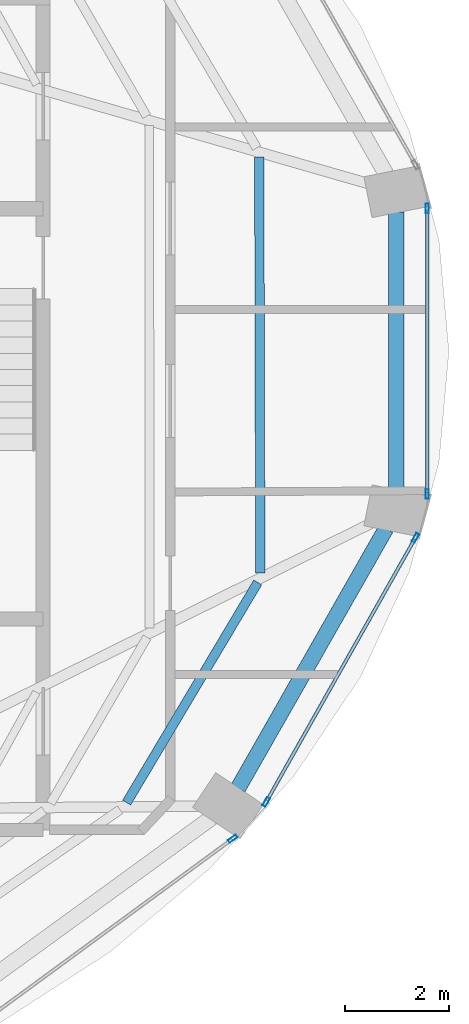
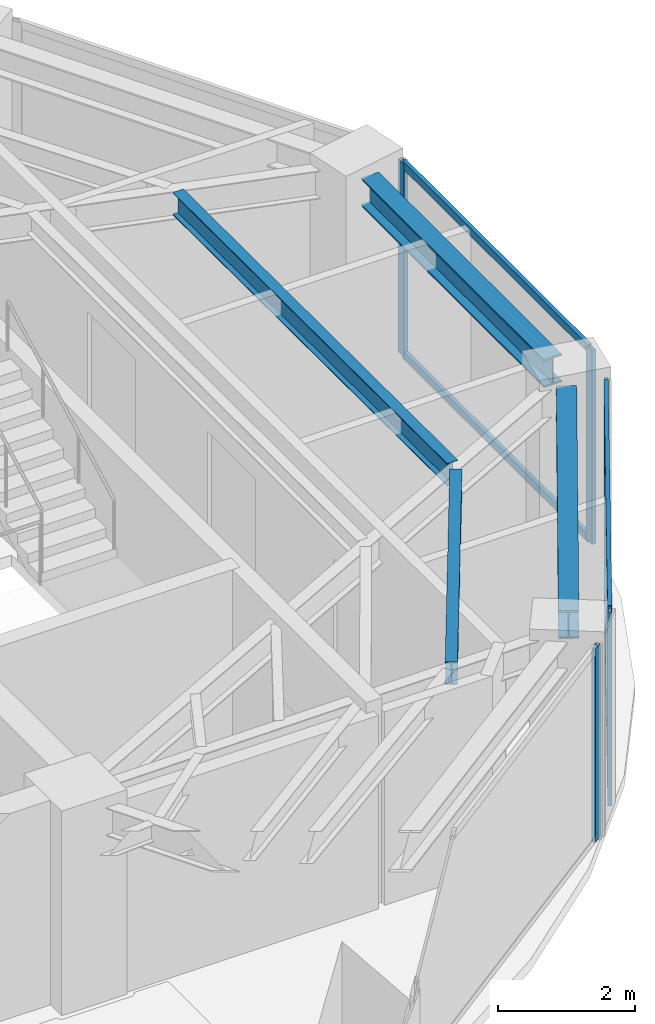
# One storey, part 5 of 13: 9 members, 4 beams, 3 elements without a shape of their own.
"""IFC4 building model written with IfcOpenShell, lengths in metres."""

from ifc_helpers import new_model, si_unit, direction, frame, origin, origin_2d, place, context, subcontext, project, spatial, hollow_rectangle, i_section, extrude, material, layer, layer_set, material_profile, profile_set, type_object, element, aggregate, save


model = new_model("IFC4")

# Units and contexts
model_context = context("Model", 3, precision=1e-05, world=origin(), true_north=direction((0.0, 1.0)))
body_context = subcontext(model_context, "Body", "Model", "MODEL_VIEW")
ifc_project = project(units=[si_unit("LENGTHUNIT", "METRE"), si_unit("AREAUNIT", "SQUARE_METRE"), si_unit("VOLUMEUNIT", "CUBIC_METRE"), si_unit("PLANEANGLEUNIT", "RADIAN"), si_unit("MASSUNIT", "GRAM", prefix="KILO")], contexts=[model_context])

# Site, building, storey
site_placement = place(None, origin())
site = spatial("IfcSite", under=ifc_project, at=site_placement, CompositionType="ELEMENT")
building_placement = place(site_placement, origin())
building = spatial("IfcBuilding", under=site, at=building_placement, Name="Lazwardi Medical Tower", CompositionType="ELEMENT")
storey_placement = place(building_placement, frame((0.0, 0.0, 273.263916015625)))
storey = spatial("IfcBuildingStorey", under=building, at=storey_placement, Name="L71", CompositionType="ELEMENT", Elevation=273.263916015625)

# Beams
ifc_material_1 = material(Name="Steel S355", Category="steel")
ifc_material_profile_1 = material_profile(ifc_material_1, i_section(OverallWidth=0.300048828125, OverallDepth=0.5, WebThickness=0.014404296875, FlangeThickness=0.028076171875, at=origin_2d()), Name="HEB 500")
ifc_profile_set_1 = profile_set([ifc_material_profile_1], Name="Steel S355")
beam_type_1 = type_object("IfcBeamType", Name="BM-RB-Z4", PredefinedType="BEAM", material=ifc_profile_set_1)
beam_1_placement = place(storey_placement, frame((54.15283203125, 20.81640625, 3.197998046875), z_axis=(0.495125273299, 0.868821594886, 0.0), x_axis=(-0.868821594886, 0.495125273299, 0.0)))
element("IfcBeam", 1, at=beam_1_placement, inside=storey, type_object=beam_type_1, Name="Ring beam RB-05 B03 L71", PredefinedType="BEAM", context=body_context, shape_type="SweptSolid", body=[
    extrude(i_section(OverallWidth=0.300048828125, OverallDepth=0.5, WebThickness=0.014404296875, FlangeThickness=0.028076171875, at=origin_2d()), origin(), (0.0, 0.0, 1.0), 5.734130859375),
])
beam_2_placement = place(storey_placement, frame((57.18505859375, 26.527099609375, 3.197998046875), z_axis=(0.0, 1.0, 0.0), x_axis=(-1.0, 0.0, 0.0)))
element("IfcBeam", 2, at=beam_2_placement, inside=storey, type_object=beam_type_1, Name="Ring beam RB-05 B04 L71", PredefinedType="BEAM", context=body_context, shape_type="SweptSolid", body=[
    extrude(i_section(OverallWidth=0.300048828125, OverallDepth=0.5, WebThickness=0.014404296875, FlangeThickness=0.028076171875, at=origin_2d()), origin(), (0.0, 0.0, 1.0), 5.345703125),
])
ifc_material_profile_2 = material_profile(ifc_material_1, i_section(OverallWidth=0.179931640625, OverallDepth=0.39990234375, WebThickness=0.008544921875, FlangeThickness=0.013427734375, at=origin_2d()), Name="IPE 400")
ifc_profile_set_2 = profile_set([ifc_material_profile_2], Name="Steel S355")
beam_type_2 = type_object("IfcBeamType", Name="BM-SJ-01", PredefinedType="JOIST", material=ifc_profile_set_2)
beam_3_placement = place(storey_placement, frame((52.015380859375, 20.54052734375, 3.248046875), z_axis=(0.511696806688, 0.859166094551, 0.0), x_axis=(-0.859166094551, 0.511696806688, 0.0)))
element("IfcBeam", 3, at=beam_3_placement, inside=storey, type_object=beam_type_2, Name="Secondary joist SJ-01 R1 B03 L71", PredefinedType="JOIST", context=body_context, shape_type="SweptSolid", body=[
    extrude(i_section(OverallWidth=0.179931640625, OverallDepth=0.39990234375, WebThickness=0.008544921875, FlangeThickness=0.013427734375, at=origin_2d()), origin(), (0.0, 0.0, 1.0), 4.917724609375),
])
beam_4_placement = place(storey_placement, frame((54.580078125, 24.942138671875, 3.248046875), z_axis=(-0.002538606287, 0.999996777734, 0.0), x_axis=(-0.999996777734, -0.002538606287, 0.0)))
element("IfcBeam", 4, at=beam_4_placement, inside=storey, type_object=beam_type_2, Name="Secondary joist SJ-01 R1 B04 L71", PredefinedType="JOIST", context=body_context, shape_type="SweptSolid", body=[
    extrude(i_section(OverallWidth=0.179931640625, OverallDepth=0.39990234375, WebThickness=0.008544921875, FlangeThickness=0.013427734375, at=origin_2d()), origin(), (0.0, 0.0, 1.0), 7.982177734375),
])

# Curtain wall, member
ifc_material_2 = material(Name="Anodised bronze aluminium and solar control glazing", Category="aluminium")
ifc_layer = layer(ifc_material_2, 0.18994140625)
ifc_layer_set = layer_set([ifc_layer], Name="Anodised bronze aluminium and solar control glazing")
curtain_wall_type = type_object("IfcCurtainWallType", Name="CW-SYS-04", PredefinedType="NOTDEFINED", material=ifc_layer_set)
curtain_wall_1_placement = place(storey_placement, origin())
curtain_wall_1 = element("IfcCurtainWall", 5, at=curtain_wall_1_placement, inside=storey, type_object=curtain_wall_type, Name="L71 Unitised bronze curtain wall CW-04", PredefinedType="NOTDEFINED")
ifc_material_3 = material(Name="Anodised bronze aluminium", Category="aluminium")
ifc_material_profile_3 = material_profile(ifc_material_3, hollow_rectangle(XDim=0.06494140625, YDim=0.179931640625, WallThickness=0.00390625, at=origin_2d()), Name="ALU-MULLION 180x65x4")
ifc_profile_set_3 = profile_set([ifc_material_profile_3], Name="Anodised bronze aluminium")
member_type_1 = type_object("IfcMemberType", Name="CW-MUL-03", PredefinedType="MULLION", material=ifc_profile_set_3)
member_1_placement = place(storey_placement, frame((54.052001953125, 19.848388671875, 0.0), z_axis=(0.0, 0.0, 1.0), x_axis=(-0.591268230971, 0.806474971121, 0.0)))
member_1 = element("IfcMember", 6, at=member_1_placement, type_object=member_type_1, Name="CW-04 mullion 2", PredefinedType="MULLION", context=body_context, shape_type="SweptSolid", body=[
    extrude(hollow_rectangle(XDim=0.06494140625, YDim=0.179931640625, WallThickness=0.00390625, at=origin_2d()), origin(), (0.0, 0.0, 1.0), 3.447998046875),
])
aggregate(curtain_wall_1, [member_1])

# Curtain wall, members
curtain_wall_2_placement = place(storey_placement, origin())
curtain_wall_2 = element("IfcCurtainWall", 7, at=curtain_wall_2_placement, inside=storey, type_object=curtain_wall_type, Name="L71 Unitised bronze curtain wall CW-04", PredefinedType="NOTDEFINED")
member_2_placement = place(storey_placement, frame((54.6943359375, 20.554443359375, 0.0), z_axis=(0.0, 0.0, 1.0), x_axis=(-0.870651436011, 0.491900474661, 0.0)))
member_2 = element("IfcMember", 8, at=member_2_placement, type_object=member_type_1, Name="CW-04 mullion 1", PredefinedType="MULLION", context=body_context, shape_type="SweptSolid", body=[
    extrude(hollow_rectangle(XDim=0.06494140625, YDim=0.179931640625, WallThickness=0.00390625, at=origin_2d()), origin(), (0.0, 0.0, 1.0), 3.447998046875),
])
member_3_placement = place(storey_placement, frame((57.557373046875, 25.621826171875, 0.0), z_axis=(0.0, 0.0, 1.0), x_axis=(-0.870651436011, 0.491900474661, 0.0)))
member_3 = element("IfcMember", 9, at=member_3_placement, type_object=member_type_1, Name="CW-04 mullion 2", PredefinedType="MULLION", context=body_context, shape_type="SweptSolid", body=[
    extrude(hollow_rectangle(XDim=0.06494140625, YDim=0.179931640625, WallThickness=0.00390625, at=origin_2d()), origin(), (0.0, 0.0, 1.0), 3.447998046875),
])

curtain_wall_3_placement = place(storey_placement, origin())
curtain_wall_3 = element("IfcCurtainWall", 10, at=curtain_wall_3_placement, inside=storey, type_object=curtain_wall_type, Name="L71 Unitised bronze curtain wall CW-04", PredefinedType="NOTDEFINED")
member_4_placement = place(storey_placement, frame((57.7841796875, 26.45947265625, 0.0), z_axis=(0.0, 0.0, 1.0), x_axis=(-1.0, 0.0, 0.0)))
member_4 = element("IfcMember", 11, at=member_4_placement, type_object=member_type_1, Name="CW-04 mullion 1", PredefinedType="MULLION", context=body_context, shape_type="SweptSolid", body=[
    extrude(hollow_rectangle(XDim=0.06494140625, YDim=0.179931640625, WallThickness=0.00390625, at=origin_2d()), origin(), (0.0, 0.0, 1.0), 3.447998046875),
])
member_5_placement = place(storey_placement, frame((57.7841796875, 31.9404296875, 0.0), z_axis=(0.0, 0.0, 1.0), x_axis=(-1.0, 0.0, 0.0)))
member_5 = element("IfcMember", 12, at=member_5_placement, type_object=member_type_1, Name="CW-04 mullion 2", PredefinedType="MULLION", context=body_context, shape_type="SweptSolid", body=[
    extrude(hollow_rectangle(XDim=0.06494140625, YDim=0.179931640625, WallThickness=0.00390625, at=origin_2d()), origin(), (0.0, 0.0, 1.0), 3.447998046875),
])

# Member
ifc_material_profile_4 = material_profile(ifc_material_3, hollow_rectangle(XDim=0.06494140625, YDim=0.139892578125, WallThickness=0.00341796875, at=origin_2d()), Name="ALU-TRANSOM 140x65x3.5")
ifc_profile_set_4 = profile_set([ifc_material_profile_4], Name="Anodised bronze aluminium")
member_type_2 = type_object("IfcMemberType", Name="CW-TRN-03", PredefinedType="USERDEFINED", material=ifc_profile_set_4)
member_6_placement = place(storey_placement, frame((54.71044921875, 20.582763671875, 0.032470703125), z_axis=(0.491879719484, 0.87066316194, 0.0), x_axis=(-0.87066316194, 0.491879719484, 0.0)))
member_6 = element("IfcMember", 13, at=member_6_placement, type_object=member_type_2, Name="CW-04 transom 1.1", ObjectType="TRANSOM", PredefinedType="USERDEFINED", context=body_context, shape_type="SweptSolid", body=[
    extrude(hollow_rectangle(XDim=0.06494140625, YDim=0.139892578125, WallThickness=0.00341796875, at=origin_2d()), origin(), (0.0, 0.0, 1.0), 5.755126953125),
])

member_7_placement = place(storey_placement, frame((54.71044921875, 20.582763671875, 3.41552734375), z_axis=(0.491879719484, 0.87066316194, 0.0), x_axis=(-0.87066316194, 0.491879719484, 0.0)))
member_7 = element("IfcMember", 14, at=member_7_placement, type_object=member_type_2, Name="CW-04 transom 1.2", ObjectType="TRANSOM", PredefinedType="USERDEFINED", context=body_context, shape_type="SweptSolid", body=[
    extrude(hollow_rectangle(XDim=0.06494140625, YDim=0.139892578125, WallThickness=0.00341796875, at=origin_2d()), origin(), (0.0, 0.0, 1.0), 5.755126953125),
])

aggregate(curtain_wall_2, [member_2, member_3, member_6, member_7])

member_8_placement = place(storey_placement, frame((57.7841796875, 26.491943359375, 0.032470703125), z_axis=(0.0, 1.0, 0.0), x_axis=(-1.0, 0.0, 0.0)))
member_8 = element("IfcMember", 15, at=member_8_placement, type_object=member_type_2, Name="CW-04 transom 1.1", ObjectType="TRANSOM", PredefinedType="USERDEFINED", context=body_context, shape_type="SweptSolid", body=[
    extrude(hollow_rectangle(XDim=0.06494140625, YDim=0.139892578125, WallThickness=0.00341796875, at=origin_2d()), origin(), (0.0, 0.0, 1.0), 5.416015625),
])

member_9_placement = place(storey_placement, frame((57.7841796875, 26.491943359375, 3.41552734375), z_axis=(0.0, 1.0, 0.0), x_axis=(-1.0, 0.0, 0.0)))
member_9 = element("IfcMember", 16, at=member_9_placement, type_object=member_type_2, Name="CW-04 transom 1.2", ObjectType="TRANSOM", PredefinedType="USERDEFINED", context=body_context, shape_type="SweptSolid", body=[
    extrude(hollow_rectangle(XDim=0.06494140625, YDim=0.139892578125, WallThickness=0.00341796875, at=origin_2d()), origin(), (0.0, 0.0, 1.0), 5.416015625),
])

aggregate(curtain_wall_3, [member_4, member_5, member_8, member_9])

save(model, "model.ifc")
